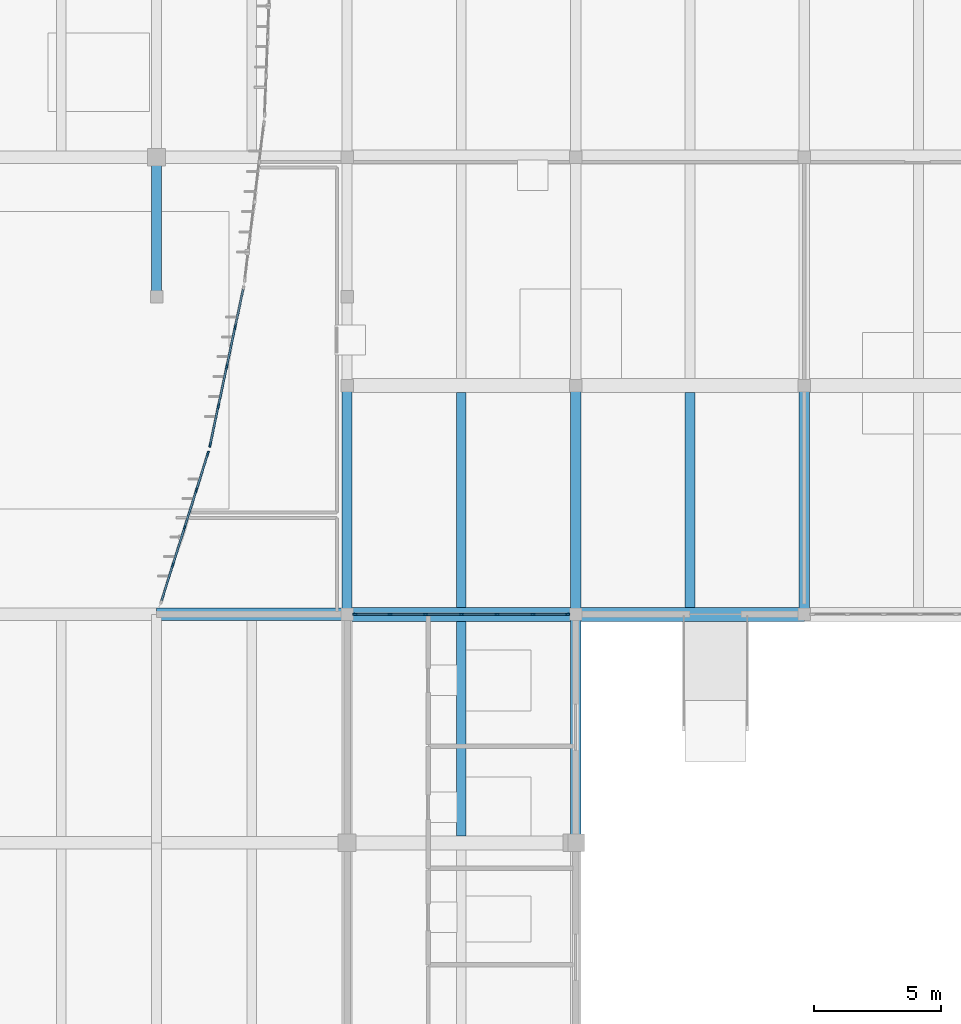
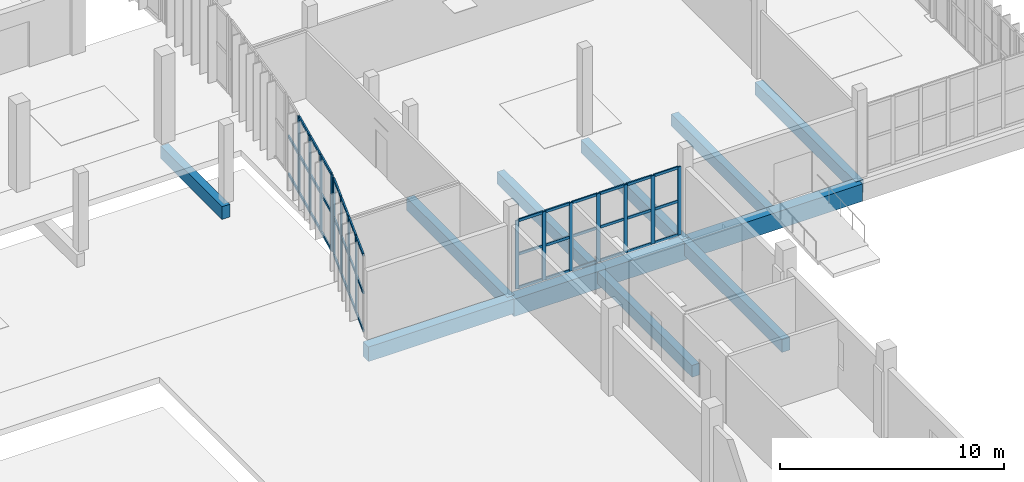
# One storey, part 25 of 72: 56 members, 11 beams, 3 elements without a shape of their own.
"""IFC4 building model written with IfcOpenShell, lengths in metres."""

from ifc_helpers import new_model, si_unit, direction, frame, origin, origin_2d, place, context, subcontext, project, spatial, rectangle, extrude, material, material_profile, profile_set, type_object, element, aggregate, save


model = new_model("IFC4")

# Units and contexts
model_context = context("Model", 3, precision=1e-05, world=origin(), true_north=direction((0.0, 1.0)))
body_context = subcontext(model_context, "Body", "Model", "MODEL_VIEW")
ifc_project = project(units=[si_unit("LENGTHUNIT", "METRE"), si_unit("AREAUNIT", "SQUARE_METRE"), si_unit("VOLUMEUNIT", "CUBIC_METRE"), si_unit("PLANEANGLEUNIT", "RADIAN"), si_unit("MASSUNIT", "GRAM", prefix="KILO")], contexts=[model_context])

# Site, building, storey
site_placement = place(None, origin())
site = spatial("IfcSite", under=ifc_project, at=site_placement, CompositionType="ELEMENT")
building_placement = place(site_placement, origin())
building = spatial("IfcBuilding", under=site, at=building_placement, Name="Vourika Railside Aquatics Centre", CompositionType="ELEMENT")
storey_placement = place(building_placement, origin())
storey = spatial("IfcBuildingStorey", under=building, at=storey_placement, Name="L00", CompositionType="ELEMENT", Elevation=0.0)

# Beams
ifc_material_1 = material(Name="Concrete C35/45", Category="concrete")
ifc_material_profile_1 = material_profile(ifc_material_1, rectangle(XDim=0.39990234375, YDim=0.699951171875, at=origin_2d()), Name="RC 400x700")
ifc_profile_set_1 = profile_set([ifc_material_profile_1], Name="Concrete C35/45")
beam_type_1 = type_object("IfcBeamType", Name="BM-GIRD-400x700", PredefinedType="BEAM", material=ifc_profile_set_1)
for number, where, z_axis, x_axis, name in (
    (1, (141.0, 40.0, -0.669921875), (0.0, 1.0, 0.0), (-1.0, 0.0, 0.0), "Floor Girder GY-L00-321"),
    (2, (150.0, 31.0, -0.669921875), (0.0, 1.0, 0.0), (-1.0, 0.0, 0.0), "Floor Girder GY-L00-331"),
    (3, (150.0, 40.0, -0.669921875), (0.0, 1.0, 0.0), (-1.0, 0.0, 0.0), "Floor Girder GY-L00-332"),
    (4, (159.0, 40.0, -0.669921875), (0.0, 1.0, 0.0), (-1.0, 0.0, 0.0), "Floor Girder GY-L00-338"),
):
    element("IfcBeam", number, at=place(storey_placement, frame(where, z_axis=z_axis, x_axis=x_axis)), inside=storey, type_object=beam_type_1, Name=name, PredefinedType="BEAM", context=body_context, shape_type="SweptSolid", body=[
        extrude(rectangle(XDim=0.39990234375, YDim=0.699951171875, at=origin_2d()), origin(), (0.0, 0.0, 1.0), 9.0),
    ])
beam_1_placement = place(storey_placement, frame((133.5, 52.5, -0.669921875), z_axis=(0.0, 1.0, 0.0), x_axis=(-1.0, 0.0, 0.0)))
element("IfcBeam", 5, at=beam_1_placement, inside=storey, type_object=beam_type_1, Name="Grandstand Tie Beam 133.5", PredefinedType="BEAM", context=body_context, shape_type="SweptSolid", body=[
    extrude(rectangle(XDim=0.39990234375, YDim=0.699951171875, at=origin_2d()), origin(), (0.0, 0.0, 1.0), 5.5),
])
ifc_material_2 = material(Name="Concrete C40/50", Category="concrete")
ifc_material_profile_2 = material_profile(ifc_material_2, rectangle(XDim=0.550048828125, YDim=0.949951171875, at=origin_2d()), Name="RC 550x950")
ifc_profile_set_2 = profile_set([ifc_material_profile_2], Name="Concrete C40/50")
beam_type_2 = type_object("IfcBeamType", Name="BM-GIRD-550x950", PredefinedType="BEAM", material=ifc_profile_set_2)
for number, where, z_axis, x_axis, name in (
    (6, (141.0, 40.0, -0.794921875), (1.0, 0.0, 0.0), (0.0, 1.0, 0.0), "Floor Beam GX-L00-054"),
    (7, (150.0, 40.0, -0.794921875), (1.0, 0.0, 0.0), (0.0, 1.0, 0.0), "Floor Beam GX-L00-055"),
):
    element("IfcBeam", number, at=place(storey_placement, frame(where, z_axis=z_axis, x_axis=x_axis)), inside=storey, type_object=beam_type_2, Name=name, PredefinedType="BEAM", context=body_context, shape_type="SweptSolid", body=[
        extrude(rectangle(XDim=0.550048828125, YDim=0.949951171875, at=origin_2d()), origin(), (0.0, 0.0, 1.0), 9.0),
    ])
ifc_material_profile_3 = material_profile(ifc_material_1, rectangle(XDim=0.3798828125, YDim=0.64990234375, at=origin_2d()), Name="RC 380x650")
ifc_profile_set_3 = profile_set([ifc_material_profile_3], Name="Concrete C35/45")
beam_type_3 = type_object("IfcBeamType", Name="BM-SEC-380x650", PredefinedType="JOIST", material=ifc_profile_set_3)
for number, where, z_axis, x_axis, name in (
    (8, (145.5, 31.27490234375, -0.64501953125), (0.0, 1.0, 0.0), (-1.0, 0.0, 0.0), "Secondary Joist JY-L00-380"),
    (9, (145.5, 40.27490234375, -0.64501953125), (0.0, 1.0, 0.0), (-1.0, 0.0, 0.0), "Secondary Joist JY-L00-381"),
    (10, (154.5, 40.27490234375, -0.64501953125), (0.0, 1.0, 0.0), (-1.0, 0.0, 0.0), "Secondary Joist JY-L00-382"),
):
    element("IfcBeam", number, at=place(storey_placement, frame(where, z_axis=z_axis, x_axis=x_axis)), inside=storey, type_object=beam_type_3, Name=name, PredefinedType="JOIST", context=body_context, shape_type="SweptSolid", body=[
        extrude(rectangle(XDim=0.3798828125, YDim=0.64990234375, at=origin_2d()), origin(), (0.0, 0.0, 1.0), 8.4501953125),
    ])
ifc_material_profile_4 = material_profile(ifc_material_2, rectangle(XDim=0.5, YDim=0.800048828125, at=origin_2d()), Name="RC 500x800")
ifc_profile_set_4 = profile_set([ifc_material_profile_4], Name="Concrete C40/50")
beam_type_4 = type_object("IfcBeamType", Name="BM-TIE-500x800", PredefinedType="BEAM", material=ifc_profile_set_4)
beam_2_placement = place(storey_placement, frame((133.5, 40.0, -0.719970703125), z_axis=(1.0, 0.0, 0.0), x_axis=(0.0, 1.0, 0.0)))
element("IfcBeam", 11, at=beam_2_placement, inside=storey, type_object=beam_type_4, Name="Floor Beam GX-L00-053", PredefinedType="BEAM", context=body_context, shape_type="SweptSolid", body=[
    extrude(rectangle(XDim=0.5, YDim=0.800048828125, at=origin_2d()), origin(), (0.0, 0.0, 1.0), 7.5),
])

# Curtain wall, members
ifc_material_3 = material(Name="Anodized thermally broken aluminium", Category="aluminium")
curtain_wall_type_1 = type_object("IfcCurtainWallType", Name="CW-FOYC0", PredefinedType="NOTDEFINED", material=ifc_material_3)
curtain_wall_1_placement = place(storey_placement, origin())
curtain_wall_1 = element("IfcCurtainWall", 12, at=curtain_wall_1_placement, inside=storey, type_object=curtain_wall_type_1, Name="Curved Courtyard Foyer Curtain Wall L00-1", PredefinedType="NOTDEFINED")
ifc_material_4 = material(Name="Anodized aluminium mullion", Category="aluminium")
ifc_material_profile_5 = material_profile(ifc_material_4, rectangle(XDim=0.073974609375, YDim=0.195068359375, at=origin_2d()), Name="ALU-M 74x195")
ifc_profile_set_5 = profile_set([ifc_material_profile_5], Name="Anodized aluminium mullion")
member_type_1 = type_object("IfcMemberType", Name="CWM-FOYC0", PredefinedType="MULLION", material=ifc_profile_set_5)
member_1_placement = place(storey_placement, frame((135.517822265625, 46.32470703125, 0.0), z_axis=(0.0, 0.0, 1.0), x_axis=(0.953947300696, -0.29997424472, 0.0)))
member_1 = element("IfcMember", 13, at=member_1_placement, type_object=member_type_1, Name="CW07 mullion 1", PredefinedType="MULLION", context=body_context, shape_type="SweptSolid", body=[
    extrude(rectangle(XDim=0.073974609375, YDim=0.195068359375, at=origin_2d()), origin(), (0.0, 0.0, 1.0), 4.199951171875),
])
member_2_placement = place(storey_placement, frame((135.066650390625, 44.889892578125, 0.0), z_axis=(0.0, 0.0, 1.0), x_axis=(0.953947300696, -0.29997424472, 0.0)))
member_2 = element("IfcMember", 14, at=member_2_placement, type_object=member_type_1, Name="CW07 mullion 2", PredefinedType="MULLION", context=body_context, shape_type="SweptSolid", body=[
    extrude(rectangle(XDim=0.073974609375, YDim=0.195068359375, at=origin_2d()), origin(), (0.0, 0.0, 1.0), 4.199951171875),
])
member_3_placement = place(storey_placement, frame((134.6044921875, 43.419921875, 0.0), z_axis=(0.0, 0.0, 1.0), x_axis=(0.953947300696, -0.29997424472, 0.0)))
member_3 = element("IfcMember", 15, at=member_3_placement, type_object=member_type_1, Name="CW07 mullion 3", PredefinedType="MULLION", context=body_context, shape_type="SweptSolid", body=[
    extrude(rectangle(XDim=0.073974609375, YDim=0.195068359375, at=origin_2d()), origin(), (0.0, 0.0, 1.0), 4.199951171875),
])
member_4_placement = place(storey_placement, frame((134.142333984375, 41.949951171875, 0.0), z_axis=(0.0, 0.0, 1.0), x_axis=(0.953947300696, -0.29997424472, 0.0)))
member_4 = element("IfcMember", 16, at=member_4_placement, type_object=member_type_1, Name="CW07 mullion 4", PredefinedType="MULLION", context=body_context, shape_type="SweptSolid", body=[
    extrude(rectangle(XDim=0.073974609375, YDim=0.195068359375, at=origin_2d()), origin(), (0.0, 0.0, 1.0), 4.199951171875),
])

curtain_wall_2_placement = place(storey_placement, origin())
curtain_wall_2 = element("IfcCurtainWall", 17, at=curtain_wall_2_placement, inside=storey, type_object=curtain_wall_type_1, Name="Curved Courtyard Foyer Curtain Wall L00-2", PredefinedType="NOTDEFINED")
member_5_placement = place(storey_placement, frame((136.592041015625, 51.304931640625, 0.0), z_axis=(0.0, 0.0, 1.0), x_axis=(0.978214773139, -0.207595418094, 0.0)))
member_5 = element("IfcMember", 18, at=member_5_placement, type_object=member_type_1, Name="CW07 mullion 2", PredefinedType="MULLION", context=body_context, shape_type="SweptSolid", body=[
    extrude(rectangle(XDim=0.073974609375, YDim=0.195068359375, at=origin_2d()), origin(), (0.0, 0.0, 1.0), 4.199951171875),
])
member_6_placement = place(storey_placement, frame((136.261962890625, 49.75, 0.0), z_axis=(0.0, 0.0, 1.0), x_axis=(0.978214773139, -0.207595418094, 0.0)))
member_6 = element("IfcMember", 19, at=member_6_placement, type_object=member_type_1, Name="CW07 mullion 3", PredefinedType="MULLION", context=body_context, shape_type="SweptSolid", body=[
    extrude(rectangle(XDim=0.073974609375, YDim=0.195068359375, at=origin_2d()), origin(), (0.0, 0.0, 1.0), 4.199951171875),
])
member_7_placement = place(storey_placement, frame((135.931884765625, 48.195068359375, 0.0), z_axis=(0.0, 0.0, 1.0), x_axis=(0.978214773139, -0.207595418094, 0.0)))
member_7 = element("IfcMember", 20, at=member_7_placement, type_object=member_type_1, Name="CW07 mullion 4", PredefinedType="MULLION", context=body_context, shape_type="SweptSolid", body=[
    extrude(rectangle(XDim=0.073974609375, YDim=0.195068359375, at=origin_2d()), origin(), (0.0, 0.0, 1.0), 4.199951171875),
])
member_8_placement = place(storey_placement, frame((135.609619140625, 46.67626953125, 0.0), z_axis=(0.0, 0.0, 1.0), x_axis=(0.978214773139, -0.207595418094, 0.0)))
member_8 = element("IfcMember", 21, at=member_8_placement, type_object=member_type_1, Name="CW07 mullion 5", PredefinedType="MULLION", context=body_context, shape_type="SweptSolid", body=[
    extrude(rectangle(XDim=0.073974609375, YDim=0.195068359375, at=origin_2d()), origin(), (0.0, 0.0, 1.0), 4.199951171875),
])

curtain_wall_type_2 = type_object("IfcCurtainWallType", Name="CW-FOYS", PredefinedType="NOTDEFINED", material=ifc_material_3)
curtain_wall_3_placement = place(storey_placement, origin())
curtain_wall_3 = element("IfcCurtainWall", 22, at=curtain_wall_3_placement, inside=storey, type_object=curtain_wall_type_2, Name="Foyer South Glazed Facade L00-1", PredefinedType="NOTDEFINED")
ifc_material_profile_6 = material_profile(ifc_material_4, rectangle(XDim=0.072021484375, YDim=0.181884765625, at=origin_2d()), Name="ALU-M 72x182")
ifc_profile_set_6 = profile_set([ifc_material_profile_6], Name="Anodized aluminium mullion")
member_type_2 = type_object("IfcMemberType", Name="CWM-FOYS", PredefinedType="MULLION", material=ifc_profile_set_6)
member_9_placement = place(storey_placement, frame((141.31591796875, 40.0, 0.0), z_axis=(0.0, 0.0, 1.0), x_axis=(0.0, 1.0, 0.0)))
member_9 = element("IfcMember", 23, at=member_9_placement, type_object=member_type_2, Name="CW11 mullion 1", PredefinedType="MULLION", context=body_context, shape_type="SweptSolid", body=[
    extrude(rectangle(XDim=0.072021484375, YDim=0.181884765625, at=origin_2d()), origin(), (0.0, 0.0, 1.0), 3.72998046875),
])
member_10_placement = place(storey_placement, frame((142.686767578125, 40.0, 0.0), z_axis=(0.0, 0.0, 1.0), x_axis=(0.0, 1.0, 0.0)))
member_10 = element("IfcMember", 24, at=member_10_placement, type_object=member_type_2, Name="CW11 mullion 2", PredefinedType="MULLION", context=body_context, shape_type="SweptSolid", body=[
    extrude(rectangle(XDim=0.072021484375, YDim=0.181884765625, at=origin_2d()), origin(), (0.0, 0.0, 1.0), 3.72998046875),
])
member_11_placement = place(storey_placement, frame((144.09326171875, 40.0, 0.0), z_axis=(0.0, 0.0, 1.0), x_axis=(0.0, 1.0, 0.0)))
member_11 = element("IfcMember", 25, at=member_11_placement, type_object=member_type_2, Name="CW11 mullion 3", PredefinedType="MULLION", context=body_context, shape_type="SweptSolid", body=[
    extrude(rectangle(XDim=0.072021484375, YDim=0.181884765625, at=origin_2d()), origin(), (0.0, 0.0, 1.0), 3.72998046875),
])
member_12_placement = place(storey_placement, frame((145.5, 40.0, 0.0), z_axis=(0.0, 0.0, 1.0), x_axis=(0.0, 1.0, 0.0)))
member_12 = element("IfcMember", 26, at=member_12_placement, type_object=member_type_2, Name="CW11 mullion 4", PredefinedType="MULLION", context=body_context, shape_type="SweptSolid", body=[
    extrude(rectangle(XDim=0.072021484375, YDim=0.181884765625, at=origin_2d()), origin(), (0.0, 0.0, 1.0), 3.72998046875),
])
member_13_placement = place(storey_placement, frame((146.90673828125, 40.0, 0.0), z_axis=(0.0, 0.0, 1.0), x_axis=(0.0, 1.0, 0.0)))
member_13 = element("IfcMember", 27, at=member_13_placement, type_object=member_type_2, Name="CW11 mullion 5", PredefinedType="MULLION", context=body_context, shape_type="SweptSolid", body=[
    extrude(rectangle(XDim=0.072021484375, YDim=0.181884765625, at=origin_2d()), origin(), (0.0, 0.0, 1.0), 3.72998046875),
])
member_14_placement = place(storey_placement, frame((148.313232421875, 40.0, 0.0), z_axis=(0.0, 0.0, 1.0), x_axis=(0.0, 1.0, 0.0)))
member_14 = element("IfcMember", 28, at=member_14_placement, type_object=member_type_2, Name="CW11 mullion 6", PredefinedType="MULLION", context=body_context, shape_type="SweptSolid", body=[
    extrude(rectangle(XDim=0.072021484375, YDim=0.181884765625, at=origin_2d()), origin(), (0.0, 0.0, 1.0), 3.72998046875),
])
member_15_placement = place(storey_placement, frame((149.68408203125, 40.0, 0.0), z_axis=(0.0, 0.0, 1.0), x_axis=(0.0, 1.0, 0.0)))
member_15 = element("IfcMember", 29, at=member_15_placement, type_object=member_type_2, Name="CW11 mullion 7", PredefinedType="MULLION", context=body_context, shape_type="SweptSolid", body=[
    extrude(rectangle(XDim=0.072021484375, YDim=0.181884765625, at=origin_2d()), origin(), (0.0, 0.0, 1.0), 3.72998046875),
])

# Member
ifc_material_5 = material(Name="Anodized aluminium transom", Category="aluminium")
ifc_material_profile_7 = material_profile(ifc_material_5, rectangle(XDim=0.073974609375, YDim=0.155029296875, at=origin_2d()), Name="ALU-T 74x155")
ifc_profile_set_7 = profile_set([ifc_material_profile_7], Name="Anodized aluminium transom")
member_type_3 = type_object("IfcMemberType", Name="CWT-FOYC0", PredefinedType="USERDEFINED", material=ifc_profile_set_7)
member_16_placement = place(storey_placement, frame((135.5068359375, 46.289306640625, 0.037109375), z_axis=(-0.299995305335, -0.953940677808, 0.0), x_axis=(0.953940677808, -0.299995305335, 0.0)))
member_16 = element("IfcMember", 30, at=member_16_placement, type_object=member_type_3, Name="CW07 transom 1.1", ObjectType="TRANSOM", PredefinedType="USERDEFINED", context=body_context, shape_type="SweptSolid", body=[
    extrude(rectangle(XDim=0.073974609375, YDim=0.155029296875, at=origin_2d()), origin(), (0.0, 0.0, 1.0), 1.429931640625),
])

member_17_placement = place(storey_placement, frame((135.5068359375, 46.289306640625, 2.10009765625), z_axis=(-0.299995305335, -0.953940677808, 0.0), x_axis=(0.953940677808, -0.299995305335, 0.0)))
member_17 = element("IfcMember", 31, at=member_17_placement, type_object=member_type_3, Name="CW07 transom 1.2", ObjectType="TRANSOM", PredefinedType="USERDEFINED", context=body_context, shape_type="SweptSolid", body=[
    extrude(rectangle(XDim=0.073974609375, YDim=0.155029296875, at=origin_2d()), origin(), (0.0, 0.0, 1.0), 1.429931640625),
])

member_18_placement = place(storey_placement, frame((135.5068359375, 46.289306640625, 4.1630859375), z_axis=(-0.299995305335, -0.953940677808, 0.0), x_axis=(0.953940677808, -0.299995305335, 0.0)))
member_18 = element("IfcMember", 32, at=member_18_placement, type_object=member_type_3, Name="CW07 transom 1.3", ObjectType="TRANSOM", PredefinedType="USERDEFINED", context=body_context, shape_type="SweptSolid", body=[
    extrude(rectangle(XDim=0.073974609375, YDim=0.155029296875, at=origin_2d()), origin(), (0.0, 0.0, 1.0), 1.429931640625),
])

member_19_placement = place(storey_placement, frame((135.0556640625, 44.854736328125, 0.037109375), z_axis=(-0.300055941568, -0.953921606805, 0.0), x_axis=(0.953921606805, -0.300055941568, 0.0)))
member_19 = element("IfcMember", 33, at=member_19_placement, type_object=member_type_3, Name="CW07 transom 2.1", ObjectType="TRANSOM", PredefinedType="USERDEFINED", context=body_context, shape_type="SweptSolid", body=[
    extrude(rectangle(XDim=0.073974609375, YDim=0.155029296875, at=origin_2d()), origin(), (0.0, 0.0, 1.0), 1.467041015625),
])

member_20_placement = place(storey_placement, frame((135.0556640625, 44.854736328125, 2.10009765625), z_axis=(-0.300055941568, -0.953921606805, 0.0), x_axis=(0.953921606805, -0.300055941568, 0.0)))
member_20 = element("IfcMember", 34, at=member_20_placement, type_object=member_type_3, Name="CW07 transom 2.2", ObjectType="TRANSOM", PredefinedType="USERDEFINED", context=body_context, shape_type="SweptSolid", body=[
    extrude(rectangle(XDim=0.073974609375, YDim=0.155029296875, at=origin_2d()), origin(), (0.0, 0.0, 1.0), 1.467041015625),
])

member_21_placement = place(storey_placement, frame((135.0556640625, 44.854736328125, 4.1630859375), z_axis=(-0.300055941568, -0.953921606805, 0.0), x_axis=(0.953921606805, -0.300055941568, 0.0)))
member_21 = element("IfcMember", 35, at=member_21_placement, type_object=member_type_3, Name="CW07 transom 2.3", ObjectType="TRANSOM", PredefinedType="USERDEFINED", context=body_context, shape_type="SweptSolid", body=[
    extrude(rectangle(XDim=0.073974609375, YDim=0.155029296875, at=origin_2d()), origin(), (0.0, 0.0, 1.0), 1.467041015625),
])

member_22_placement = place(storey_placement, frame((134.593505859375, 43.384765625, 0.037109375), z_axis=(-0.300055941568, -0.953921606805, 0.0), x_axis=(0.953921606805, -0.300055941568, 0.0)))
member_22 = element("IfcMember", 36, at=member_22_placement, type_object=member_type_3, Name="CW07 transom 3.1", ObjectType="TRANSOM", PredefinedType="USERDEFINED", context=body_context, shape_type="SweptSolid", body=[
    extrude(rectangle(XDim=0.073974609375, YDim=0.155029296875, at=origin_2d()), origin(), (0.0, 0.0, 1.0), 1.467041015625),
])

member_23_placement = place(storey_placement, frame((134.593505859375, 43.384765625, 2.10009765625), z_axis=(-0.300055941568, -0.953921606805, 0.0), x_axis=(0.953921606805, -0.300055941568, 0.0)))
member_23 = element("IfcMember", 37, at=member_23_placement, type_object=member_type_3, Name="CW07 transom 3.2", ObjectType="TRANSOM", PredefinedType="USERDEFINED", context=body_context, shape_type="SweptSolid", body=[
    extrude(rectangle(XDim=0.073974609375, YDim=0.155029296875, at=origin_2d()), origin(), (0.0, 0.0, 1.0), 1.467041015625),
])

member_24_placement = place(storey_placement, frame((134.593505859375, 43.384765625, 4.1630859375), z_axis=(-0.300055941568, -0.953921606805, 0.0), x_axis=(0.953921606805, -0.300055941568, 0.0)))
member_24 = element("IfcMember", 38, at=member_24_placement, type_object=member_type_3, Name="CW07 transom 3.3", ObjectType="TRANSOM", PredefinedType="USERDEFINED", context=body_context, shape_type="SweptSolid", body=[
    extrude(rectangle(XDim=0.073974609375, YDim=0.155029296875, at=origin_2d()), origin(), (0.0, 0.0, 1.0), 1.467041015625),
])

member_25_placement = place(storey_placement, frame((134.131103515625, 41.914794921875, 0.037109375), z_axis=(-0.29994645008, -0.953956040436, 0.0), x_axis=(0.953956040436, -0.29994645008, 0.0)))
member_25 = element("IfcMember", 39, at=member_25_placement, type_object=member_type_3, Name="CW07 transom 4.1", ObjectType="TRANSOM", PredefinedType="USERDEFINED", context=body_context, shape_type="SweptSolid", body=[
    extrude(rectangle(XDim=0.073974609375, YDim=0.155029296875, at=origin_2d()), origin(), (0.0, 0.0, 1.0), 1.43017578125),
])

member_26_placement = place(storey_placement, frame((134.131103515625, 41.914794921875, 2.10009765625), z_axis=(-0.29994645008, -0.953956040436, 0.0), x_axis=(0.953956040436, -0.29994645008, 0.0)))
member_26 = element("IfcMember", 40, at=member_26_placement, type_object=member_type_3, Name="CW07 transom 4.2", ObjectType="TRANSOM", PredefinedType="USERDEFINED", context=body_context, shape_type="SweptSolid", body=[
    extrude(rectangle(XDim=0.073974609375, YDim=0.155029296875, at=origin_2d()), origin(), (0.0, 0.0, 1.0), 1.43017578125),
])

member_27_placement = place(storey_placement, frame((134.131103515625, 41.914794921875, 4.1630859375), z_axis=(-0.29994645008, -0.953956040436, 0.0), x_axis=(0.953956040436, -0.29994645008, 0.0)))
member_27 = element("IfcMember", 41, at=member_27_placement, type_object=member_type_3, Name="CW07 transom 4.3", ObjectType="TRANSOM", PredefinedType="USERDEFINED", context=body_context, shape_type="SweptSolid", body=[
    extrude(rectangle(XDim=0.073974609375, YDim=0.155029296875, at=origin_2d()), origin(), (0.0, 0.0, 1.0), 1.43017578125),
])

aggregate(curtain_wall_1, [member_1, member_2, member_3, member_4, member_16, member_17, member_18, member_19, member_20, member_21, member_22, member_23, member_24, member_25, member_26, member_27])

member_28_placement = place(storey_placement, frame((136.90673828125, 52.78759765625, 0.037109375), z_axis=(-0.207724463541, -0.978187378393, 0.0), x_axis=(0.978187378393, -0.207724463541, 0.0)))
member_28 = element("IfcMember", 42, at=member_28_placement, type_object=member_type_3, Name="CW07 transom 1.1", ObjectType="TRANSOM", PredefinedType="USERDEFINED", context=body_context, shape_type="SweptSolid", body=[
    extrude(rectangle(XDim=0.073974609375, YDim=0.155029296875, at=origin_2d()), origin(), (0.0, 0.0, 1.0), 1.478515625),
])

member_29_placement = place(storey_placement, frame((136.90673828125, 52.78759765625, 2.10009765625), z_axis=(-0.207724463541, -0.978187378393, 0.0), x_axis=(0.978187378393, -0.207724463541, 0.0)))
member_29 = element("IfcMember", 43, at=member_29_placement, type_object=member_type_3, Name="CW07 transom 1.2", ObjectType="TRANSOM", PredefinedType="USERDEFINED", context=body_context, shape_type="SweptSolid", body=[
    extrude(rectangle(XDim=0.073974609375, YDim=0.155029296875, at=origin_2d()), origin(), (0.0, 0.0, 1.0), 1.478515625),
])

member_30_placement = place(storey_placement, frame((136.584228515625, 51.268798828125, 0.037109375), z_axis=(-0.207471510907, -0.978241060354, 0.0), x_axis=(0.978241060354, -0.207471510907, 0.0)))
member_30 = element("IfcMember", 44, at=member_30_placement, type_object=member_type_3, Name="CW07 transom 2.1", ObjectType="TRANSOM", PredefinedType="USERDEFINED", context=body_context, shape_type="SweptSolid", body=[
    extrude(rectangle(XDim=0.073974609375, YDim=0.155029296875, at=origin_2d()), origin(), (0.0, 0.0, 1.0), 1.515625),
])

member_31_placement = place(storey_placement, frame((136.584228515625, 51.268798828125, 2.10009765625), z_axis=(-0.207471510907, -0.978241060354, 0.0), x_axis=(0.978241060354, -0.207471510907, 0.0)))
member_31 = element("IfcMember", 45, at=member_31_placement, type_object=member_type_3, Name="CW07 transom 2.2", ObjectType="TRANSOM", PredefinedType="USERDEFINED", context=body_context, shape_type="SweptSolid", body=[
    extrude(rectangle(XDim=0.073974609375, YDim=0.155029296875, at=origin_2d()), origin(), (0.0, 0.0, 1.0), 1.515625),
])

member_32_placement = place(storey_placement, frame((136.584228515625, 51.268798828125, 4.1630859375), z_axis=(-0.207471510907, -0.978241060354, 0.0), x_axis=(0.978241060354, -0.207471510907, 0.0)))
member_32 = element("IfcMember", 46, at=member_32_placement, type_object=member_type_3, Name="CW07 transom 2.3", ObjectType="TRANSOM", PredefinedType="USERDEFINED", context=body_context, shape_type="SweptSolid", body=[
    extrude(rectangle(XDim=0.073974609375, YDim=0.155029296875, at=origin_2d()), origin(), (0.0, 0.0, 1.0), 1.515625),
])

member_33_placement = place(storey_placement, frame((136.25439453125, 49.7138671875, 0.037109375), z_axis=(-0.207625649931, -0.978208356891, 0.0), x_axis=(0.978208356891, -0.207625649931, 0.0)))
member_33 = element("IfcMember", 47, at=member_33_placement, type_object=member_type_3, Name="CW07 transom 3.1", ObjectType="TRANSOM", PredefinedType="USERDEFINED", context=body_context, shape_type="SweptSolid", body=[
    extrude(rectangle(XDim=0.073974609375, YDim=0.155029296875, at=origin_2d()), origin(), (0.0, 0.0, 1.0), 1.515625),
])

member_34_placement = place(storey_placement, frame((136.25439453125, 49.7138671875, 2.10009765625), z_axis=(-0.207625649931, -0.978208356891, 0.0), x_axis=(0.978208356891, -0.207625649931, 0.0)))
member_34 = element("IfcMember", 48, at=member_34_placement, type_object=member_type_3, Name="CW07 transom 3.2", ObjectType="TRANSOM", PredefinedType="USERDEFINED", context=body_context, shape_type="SweptSolid", body=[
    extrude(rectangle(XDim=0.073974609375, YDim=0.155029296875, at=origin_2d()), origin(), (0.0, 0.0, 1.0), 1.515625),
])

member_35_placement = place(storey_placement, frame((136.25439453125, 49.7138671875, 4.1630859375), z_axis=(-0.207625649931, -0.978208356891, 0.0), x_axis=(0.978208356891, -0.207625649931, 0.0)))
member_35 = element("IfcMember", 49, at=member_35_placement, type_object=member_type_3, Name="CW07 transom 3.3", ObjectType="TRANSOM", PredefinedType="USERDEFINED", context=body_context, shape_type="SweptSolid", body=[
    extrude(rectangle(XDim=0.073974609375, YDim=0.155029296875, at=origin_2d()), origin(), (0.0, 0.0, 1.0), 1.515625),
])

member_36_placement = place(storey_placement, frame((135.92431640625, 48.15869140625, 0.037109375), z_axis=(-0.207566457587, -0.97822091865, 0.0), x_axis=(0.97822091865, -0.207566457587, 0.0)))
member_36 = element("IfcMember", 50, at=member_36_placement, type_object=member_type_3, Name="CW07 transom 4.1", ObjectType="TRANSOM", PredefinedType="USERDEFINED", context=body_context, shape_type="SweptSolid", body=[
    extrude(rectangle(XDim=0.073974609375, YDim=0.155029296875, at=origin_2d()), origin(), (0.0, 0.0, 1.0), 1.478515625),
])

member_37_placement = place(storey_placement, frame((135.92431640625, 48.15869140625, 2.10009765625), z_axis=(-0.207566457587, -0.97822091865, 0.0), x_axis=(0.97822091865, -0.207566457587, 0.0)))
member_37 = element("IfcMember", 51, at=member_37_placement, type_object=member_type_3, Name="CW07 transom 4.2", ObjectType="TRANSOM", PredefinedType="USERDEFINED", context=body_context, shape_type="SweptSolid", body=[
    extrude(rectangle(XDim=0.073974609375, YDim=0.155029296875, at=origin_2d()), origin(), (0.0, 0.0, 1.0), 1.478515625),
])

member_38_placement = place(storey_placement, frame((135.92431640625, 48.15869140625, 4.1630859375), z_axis=(-0.207566457587, -0.97822091865, 0.0), x_axis=(0.97822091865, -0.207566457587, 0.0)))
member_38 = element("IfcMember", 52, at=member_38_placement, type_object=member_type_3, Name="CW07 transom 4.3", ObjectType="TRANSOM", PredefinedType="USERDEFINED", context=body_context, shape_type="SweptSolid", body=[
    extrude(rectangle(XDim=0.073974609375, YDim=0.155029296875, at=origin_2d()), origin(), (0.0, 0.0, 1.0), 1.478515625),
])

aggregate(curtain_wall_2, [member_5, member_6, member_7, member_8, member_28, member_29, member_30, member_31, member_32, member_33, member_34, member_35, member_36, member_37, member_38])

ifc_material_profile_8 = material_profile(ifc_material_5, rectangle(XDim=0.072021484375, YDim=0.14404296875, at=origin_2d()), Name="ALU-T 72x144")
ifc_profile_set_8 = profile_set([ifc_material_profile_8], Name="Anodized aluminium transom")
member_type_4 = type_object("IfcMemberType", Name="CWT-FOYS", PredefinedType="USERDEFINED", material=ifc_profile_set_8)
member_39_placement = place(storey_placement, frame((141.35205078125, 40.0, 0.035888671875), z_axis=(1.0, 0.0, 0.0), x_axis=(0.0, 1.0, 0.0)))
member_39 = element("IfcMember", 53, at=member_39_placement, type_object=member_type_4, Name="CW11 transom 1.1", ObjectType="TRANSOM", PredefinedType="USERDEFINED", context=body_context, shape_type="SweptSolid", body=[
    extrude(rectangle(XDim=0.072021484375, YDim=0.14404296875, at=origin_2d()), origin(), (0.0, 0.0, 1.0), 1.298583984375),
])

member_40_placement = place(storey_placement, frame((141.35205078125, 40.0, 1.864990234375), z_axis=(1.0, 0.0, 0.0), x_axis=(0.0, 1.0, 0.0)))
member_40 = element("IfcMember", 54, at=member_40_placement, type_object=member_type_4, Name="CW11 transom 1.2", ObjectType="TRANSOM", PredefinedType="USERDEFINED", context=body_context, shape_type="SweptSolid", body=[
    extrude(rectangle(XDim=0.072021484375, YDim=0.14404296875, at=origin_2d()), origin(), (0.0, 0.0, 1.0), 1.298583984375),
])

member_41_placement = place(storey_placement, frame((141.35205078125, 40.0, 3.694091796875), z_axis=(1.0, 0.0, 0.0), x_axis=(0.0, 1.0, 0.0)))
member_41 = element("IfcMember", 55, at=member_41_placement, type_object=member_type_4, Name="CW11 transom 1.3", ObjectType="TRANSOM", PredefinedType="USERDEFINED", context=body_context, shape_type="SweptSolid", body=[
    extrude(rectangle(XDim=0.072021484375, YDim=0.14404296875, at=origin_2d()), origin(), (0.0, 0.0, 1.0), 1.298583984375),
])

member_42_placement = place(storey_placement, frame((142.72265625, 40.0, 0.035888671875), z_axis=(1.0, 0.0, 0.0), x_axis=(0.0, 1.0, 0.0)))
member_42 = element("IfcMember", 56, at=member_42_placement, type_object=member_type_4, Name="CW11 transom 2.1", ObjectType="TRANSOM", PredefinedType="USERDEFINED", context=body_context, shape_type="SweptSolid", body=[
    extrude(rectangle(XDim=0.072021484375, YDim=0.14404296875, at=origin_2d()), origin(), (0.0, 0.0, 1.0), 1.334716796875),
])

member_43_placement = place(storey_placement, frame((142.72265625, 40.0, 1.864990234375), z_axis=(1.0, 0.0, 0.0), x_axis=(0.0, 1.0, 0.0)))
member_43 = element("IfcMember", 57, at=member_43_placement, type_object=member_type_4, Name="CW11 transom 2.2", ObjectType="TRANSOM", PredefinedType="USERDEFINED", context=body_context, shape_type="SweptSolid", body=[
    extrude(rectangle(XDim=0.072021484375, YDim=0.14404296875, at=origin_2d()), origin(), (0.0, 0.0, 1.0), 1.334716796875),
])

member_44_placement = place(storey_placement, frame((142.72265625, 40.0, 3.694091796875), z_axis=(1.0, 0.0, 0.0), x_axis=(0.0, 1.0, 0.0)))
member_44 = element("IfcMember", 58, at=member_44_placement, type_object=member_type_4, Name="CW11 transom 2.3", ObjectType="TRANSOM", PredefinedType="USERDEFINED", context=body_context, shape_type="SweptSolid", body=[
    extrude(rectangle(XDim=0.072021484375, YDim=0.14404296875, at=origin_2d()), origin(), (0.0, 0.0, 1.0), 1.334716796875),
])

member_45_placement = place(storey_placement, frame((144.12939453125, 40.0, 0.035888671875), z_axis=(1.0, 0.0, 0.0), x_axis=(0.0, 1.0, 0.0)))
member_45 = element("IfcMember", 59, at=member_45_placement, type_object=member_type_4, Name="CW11 transom 3.1", ObjectType="TRANSOM", PredefinedType="USERDEFINED", context=body_context, shape_type="SweptSolid", body=[
    extrude(rectangle(XDim=0.072021484375, YDim=0.14404296875, at=origin_2d()), origin(), (0.0, 0.0, 1.0), 1.334716796875),
])

member_46_placement = place(storey_placement, frame((144.12939453125, 40.0, 1.864990234375), z_axis=(1.0, 0.0, 0.0), x_axis=(0.0, 1.0, 0.0)))
member_46 = element("IfcMember", 60, at=member_46_placement, type_object=member_type_4, Name="CW11 transom 3.2", ObjectType="TRANSOM", PredefinedType="USERDEFINED", context=body_context, shape_type="SweptSolid", body=[
    extrude(rectangle(XDim=0.072021484375, YDim=0.14404296875, at=origin_2d()), origin(), (0.0, 0.0, 1.0), 1.334716796875),
])

member_47_placement = place(storey_placement, frame((144.12939453125, 40.0, 3.694091796875), z_axis=(1.0, 0.0, 0.0), x_axis=(0.0, 1.0, 0.0)))
member_47 = element("IfcMember", 61, at=member_47_placement, type_object=member_type_4, Name="CW11 transom 3.3", ObjectType="TRANSOM", PredefinedType="USERDEFINED", context=body_context, shape_type="SweptSolid", body=[
    extrude(rectangle(XDim=0.072021484375, YDim=0.14404296875, at=origin_2d()), origin(), (0.0, 0.0, 1.0), 1.334716796875),
])

member_48_placement = place(storey_placement, frame((145.535888671875, 40.0, 0.035888671875), z_axis=(1.0, 0.0, 0.0), x_axis=(0.0, 1.0, 0.0)))
member_48 = element("IfcMember", 62, at=member_48_placement, type_object=member_type_4, Name="CW11 transom 4.1", ObjectType="TRANSOM", PredefinedType="USERDEFINED", context=body_context, shape_type="SweptSolid", body=[
    extrude(rectangle(XDim=0.072021484375, YDim=0.14404296875, at=origin_2d()), origin(), (0.0, 0.0, 1.0), 1.334716796875),
])

member_49_placement = place(storey_placement, frame((145.535888671875, 40.0, 1.864990234375), z_axis=(1.0, 0.0, 0.0), x_axis=(0.0, 1.0, 0.0)))
member_49 = element("IfcMember", 63, at=member_49_placement, type_object=member_type_4, Name="CW11 transom 4.2", ObjectType="TRANSOM", PredefinedType="USERDEFINED", context=body_context, shape_type="SweptSolid", body=[
    extrude(rectangle(XDim=0.072021484375, YDim=0.14404296875, at=origin_2d()), origin(), (0.0, 0.0, 1.0), 1.334716796875),
])

member_50_placement = place(storey_placement, frame((145.535888671875, 40.0, 3.694091796875), z_axis=(1.0, 0.0, 0.0), x_axis=(0.0, 1.0, 0.0)))
member_50 = element("IfcMember", 64, at=member_50_placement, type_object=member_type_4, Name="CW11 transom 4.3", ObjectType="TRANSOM", PredefinedType="USERDEFINED", context=body_context, shape_type="SweptSolid", body=[
    extrude(rectangle(XDim=0.072021484375, YDim=0.14404296875, at=origin_2d()), origin(), (0.0, 0.0, 1.0), 1.334716796875),
])

member_51_placement = place(storey_placement, frame((146.942626953125, 40.0, 0.035888671875), z_axis=(1.0, 0.0, 0.0), x_axis=(0.0, 1.0, 0.0)))
member_51 = element("IfcMember", 65, at=member_51_placement, type_object=member_type_4, Name="CW11 transom 5.1", ObjectType="TRANSOM", PredefinedType="USERDEFINED", context=body_context, shape_type="SweptSolid", body=[
    extrude(rectangle(XDim=0.072021484375, YDim=0.14404296875, at=origin_2d()), origin(), (0.0, 0.0, 1.0), 1.334716796875),
])

member_52_placement = place(storey_placement, frame((146.942626953125, 40.0, 1.864990234375), z_axis=(1.0, 0.0, 0.0), x_axis=(0.0, 1.0, 0.0)))
member_52 = element("IfcMember", 66, at=member_52_placement, type_object=member_type_4, Name="CW11 transom 5.2", ObjectType="TRANSOM", PredefinedType="USERDEFINED", context=body_context, shape_type="SweptSolid", body=[
    extrude(rectangle(XDim=0.072021484375, YDim=0.14404296875, at=origin_2d()), origin(), (0.0, 0.0, 1.0), 1.334716796875),
])

member_53_placement = place(storey_placement, frame((146.942626953125, 40.0, 3.694091796875), z_axis=(1.0, 0.0, 0.0), x_axis=(0.0, 1.0, 0.0)))
member_53 = element("IfcMember", 67, at=member_53_placement, type_object=member_type_4, Name="CW11 transom 5.3", ObjectType="TRANSOM", PredefinedType="USERDEFINED", context=body_context, shape_type="SweptSolid", body=[
    extrude(rectangle(XDim=0.072021484375, YDim=0.14404296875, at=origin_2d()), origin(), (0.0, 0.0, 1.0), 1.334716796875),
])

member_54_placement = place(storey_placement, frame((148.349365234375, 40.0, 0.035888671875), z_axis=(1.0, 0.0, 0.0), x_axis=(0.0, 1.0, 0.0)))
member_54 = element("IfcMember", 68, at=member_54_placement, type_object=member_type_4, Name="CW11 transom 6.1", ObjectType="TRANSOM", PredefinedType="USERDEFINED", context=body_context, shape_type="SweptSolid", body=[
    extrude(rectangle(XDim=0.072021484375, YDim=0.14404296875, at=origin_2d()), origin(), (0.0, 0.0, 1.0), 1.298583984375),
])

member_55_placement = place(storey_placement, frame((148.349365234375, 40.0, 1.864990234375), z_axis=(1.0, 0.0, 0.0), x_axis=(0.0, 1.0, 0.0)))
member_55 = element("IfcMember", 69, at=member_55_placement, type_object=member_type_4, Name="CW11 transom 6.2", ObjectType="TRANSOM", PredefinedType="USERDEFINED", context=body_context, shape_type="SweptSolid", body=[
    extrude(rectangle(XDim=0.072021484375, YDim=0.14404296875, at=origin_2d()), origin(), (0.0, 0.0, 1.0), 1.298583984375),
])

member_56_placement = place(storey_placement, frame((148.349365234375, 40.0, 3.694091796875), z_axis=(1.0, 0.0, 0.0), x_axis=(0.0, 1.0, 0.0)))
member_56 = element("IfcMember", 70, at=member_56_placement, type_object=member_type_4, Name="CW11 transom 6.3", ObjectType="TRANSOM", PredefinedType="USERDEFINED", context=body_context, shape_type="SweptSolid", body=[
    extrude(rectangle(XDim=0.072021484375, YDim=0.14404296875, at=origin_2d()), origin(), (0.0, 0.0, 1.0), 1.298583984375),
])

aggregate(curtain_wall_3, [member_9, member_10, member_11, member_12, member_13, member_14, member_15, member_39, member_40, member_41, member_42, member_43, member_44, member_45, member_46, member_47, member_48, member_49, member_50, member_51, member_52, member_53, member_54, member_55, member_56])

save(model, "model.ifc")
